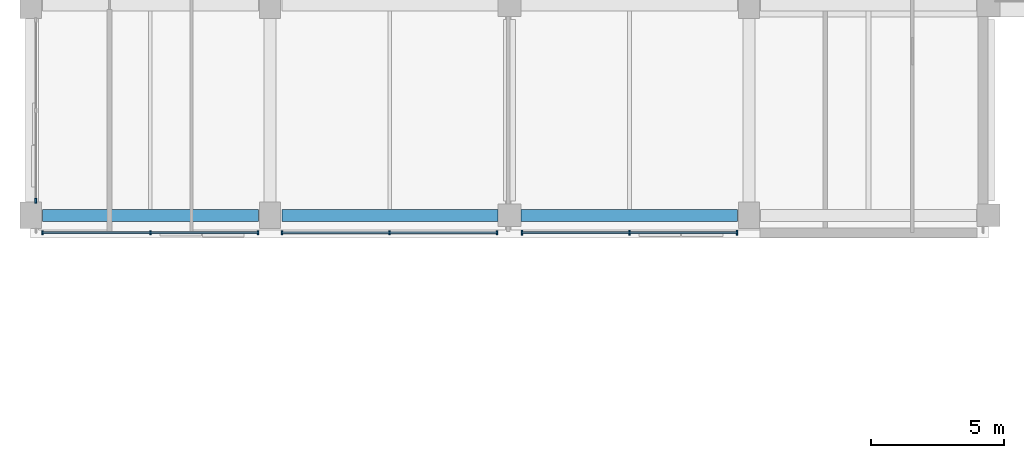
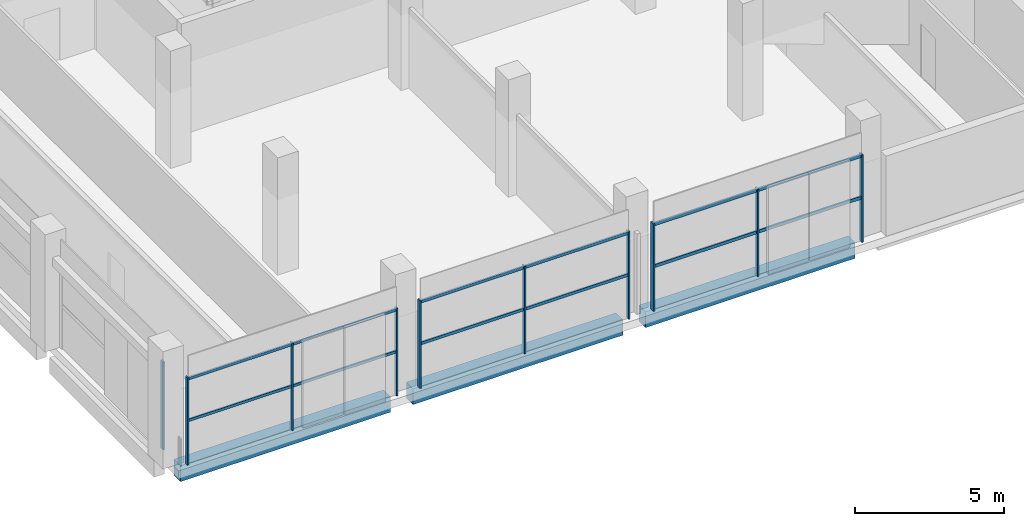
# One storey, part 19 of 66: 16 members, 3 beams, 4 elements without a shape of their own.
"""IFC4 building model written with IfcOpenShell, lengths in metres."""

from ifc_helpers import new_model, si_unit, direction, frame, origin, origin_2d, place, context, subcontext, project, spatial, rectangle, extrude, material, material_profile, profile_set, type_object, element, aggregate, save


model = new_model("IFC4")

# Units and contexts
model_context = context("Model", 3, precision=1e-05, world=origin(), true_north=direction((0.0, 1.0)))
body_context = subcontext(model_context, "Body", "Model", "MODEL_VIEW")
ifc_project = project(units=[si_unit("LENGTHUNIT", "METRE"), si_unit("AREAUNIT", "SQUARE_METRE"), si_unit("VOLUMEUNIT", "CUBIC_METRE"), si_unit("PLANEANGLEUNIT", "RADIAN"), si_unit("MASSUNIT", "GRAM", prefix="KILO"), si_unit("THERMODYNAMICTEMPERATUREUNIT", "KELVIN"), si_unit("POWERUNIT", "WATT")], contexts=[model_context])

# Site, building, storey
site_placement = place(None, origin())
site = spatial("IfcSite", under=ifc_project, at=site_placement, CompositionType="ELEMENT")
building_placement = place(site_placement, origin())
building = spatial("IfcBuilding", under=site, at=building_placement, Name="Sindhuravela Promenade Stadium", CompositionType="ELEMENT")
storey_placement = place(building_placement, frame((0.0, 0.0, 19.199951171875)))
storey = spatial("IfcBuildingStorey", under=building, at=storey_placement, Name="L04", CompositionType="ELEMENT", Elevation=19.199951171875)

# Curtain wall, member
ifc_material_1 = material(Name="Anodised architectural aluminium 6063-T6", Category="aluminium")
curtain_wall_type_1 = type_object("IfcCurtainWallType", Name="CW-MOD-1", PredefinedType="NOTDEFINED", material=ifc_material_1)
curtain_wall_1_placement = place(storey_placement, origin())
curtain_wall_1 = element("IfcCurtainWall", 1, at=curtain_wall_1_placement, inside=storey, type_object=curtain_wall_type_1, Name="Bronze curtain wall CW-WEST-L04-048", PredefinedType="NOTDEFINED")
ifc_material_profile_1 = material_profile(ifc_material_1, rectangle(XDim=0.074951171875, YDim=0.175048828125, at=origin_2d()), Name="ALU MULL 75x175")
ifc_profile_set_1 = profile_set([ifc_material_profile_1], Name="Anodised architectural aluminium 6063-T6")
member_type_1 = type_object("IfcMemberType", Name="CW-MUL-1", PredefinedType="MULLION", material=ifc_profile_set_1)
member_1_placement = place(storey_placement, frame((0.199951171875, 37.64990234375, 0.0), z_axis=(0.0, 0.0, 1.0), x_axis=(1.0, 0.0, 0.0)))
member_1 = element("IfcMember", 2, at=member_1_placement, type_object=member_type_1, Name="Curtain wall mullion CW-WEST-L04-048-M1", PredefinedType="MULLION", context=body_context, shape_type="SweptSolid", body=[
    extrude(rectangle(XDim=0.074951171875, YDim=0.175048828125, at=origin_2d()), origin(), (0.0, 0.0, 1.0), 3.580078125),
])
aggregate(curtain_wall_1, [member_1])

# Curtain wall, members
curtain_wall_type_2 = type_object("IfcCurtainWallType", Name="CW-MOD-7", PredefinedType="NOTDEFINED", material=ifc_material_1)
curtain_wall_2_placement = place(storey_placement, origin())
curtain_wall_2 = element("IfcCurtainWall", 3, at=curtain_wall_2_placement, inside=storey, type_object=curtain_wall_type_2, Name="Bronze curtain wall CW-WEST-L04-062", PredefinedType="NOTDEFINED")
ifc_material_profile_2 = material_profile(ifc_material_1, rectangle(XDim=0.06005859375, YDim=0.179931640625, at=origin_2d()), Name="ALU M60x180")
ifc_profile_set_2 = profile_set([ifc_material_profile_2], Name="Anodised architectural aluminium 6063-T6")
member_type_2 = type_object("IfcMemberType", Name="CW-MUL-3", PredefinedType="MULLION", material=ifc_profile_set_2)
member_2_placement = place(storey_placement, frame((26.550048828125, 36.449951171875, 0.0), z_axis=(0.0, 0.0, 1.0), x_axis=(1.0, 0.0, 0.0)))
member_2 = element("IfcMember", 4, at=member_2_placement, type_object=member_type_2, Name="Curtain wall mullion CW-WEST-L04-062-M1", PredefinedType="MULLION", context=body_context, shape_type="SweptSolid", body=[
    extrude(rectangle(XDim=0.06005859375, YDim=0.179931640625, at=origin_2d()), origin(), (0.0, 0.0, 1.0), 3.580078125),
])
member_3_placement = place(storey_placement, frame((22.512451171875, 36.449951171875, 0.0), z_axis=(0.0, 0.0, 1.0), x_axis=(1.0, 0.0, 0.0)))
member_3 = element("IfcMember", 5, at=member_3_placement, type_object=member_type_2, Name="Curtain wall mullion CW-WEST-L04-062-M2", PredefinedType="MULLION", context=body_context, shape_type="SweptSolid", body=[
    extrude(rectangle(XDim=0.06005859375, YDim=0.179931640625, at=origin_2d()), origin(), (0.0, 0.0, 1.0), 3.580078125),
])
member_4_placement = place(storey_placement, frame((18.47509765625, 36.449951171875, 0.0), z_axis=(0.0, 0.0, 1.0), x_axis=(1.0, 0.0, 0.0)))
member_4 = element("IfcMember", 6, at=member_4_placement, type_object=member_type_2, Name="Curtain wall mullion CW-WEST-L04-062-M3", PredefinedType="MULLION", context=body_context, shape_type="SweptSolid", body=[
    extrude(rectangle(XDim=0.06005859375, YDim=0.179931640625, at=origin_2d()), origin(), (0.0, 0.0, 1.0), 3.580078125),
])

curtain_wall_type_3 = type_object("IfcCurtainWallType", Name="CW-MOD-8", PredefinedType="NOTDEFINED", material=ifc_material_1)
curtain_wall_3_placement = place(storey_placement, origin())
curtain_wall_3 = element("IfcCurtainWall", 7, at=curtain_wall_3_placement, inside=storey, type_object=curtain_wall_type_3, Name="Bronze curtain wall CW-WEST-L04-063", PredefinedType="NOTDEFINED")
ifc_material_profile_3 = material_profile(ifc_material_1, rectangle(XDim=0.06005859375, YDim=0.159912109375, at=origin_2d()), Name="ALU M60x160")
ifc_profile_set_3 = profile_set([ifc_material_profile_3], Name="Anodised architectural aluminium 6063-T6")
member_type_3 = type_object("IfcMemberType", Name="CW-MUL-4", PredefinedType="MULLION", material=ifc_profile_set_3)
member_5_placement = place(storey_placement, frame((17.52490234375, 36.449951171875, 0.0), z_axis=(0.0, 0.0, 1.0), x_axis=(1.0, 0.0, 0.0)))
member_5 = element("IfcMember", 8, at=member_5_placement, type_object=member_type_3, Name="Curtain wall mullion CW-WEST-L04-063-M1", PredefinedType="MULLION", context=body_context, shape_type="SweptSolid", body=[
    extrude(rectangle(XDim=0.06005859375, YDim=0.159912109375, at=origin_2d()), origin(), (0.0, 0.0, 1.0), 3.580078125),
])
member_6_placement = place(storey_placement, frame((13.487548828125, 36.449951171875, 0.0), z_axis=(0.0, 0.0, 1.0), x_axis=(1.0, 0.0, 0.0)))
member_6 = element("IfcMember", 9, at=member_6_placement, type_object=member_type_3, Name="Curtain wall mullion CW-WEST-L04-063-M2", PredefinedType="MULLION", context=body_context, shape_type="SweptSolid", body=[
    extrude(rectangle(XDim=0.06005859375, YDim=0.159912109375, at=origin_2d()), origin(), (0.0, 0.0, 1.0), 3.580078125),
])
member_7_placement = place(storey_placement, frame((9.449951171875, 36.449951171875, 0.0), z_axis=(0.0, 0.0, 1.0), x_axis=(1.0, 0.0, 0.0)))
member_7 = element("IfcMember", 10, at=member_7_placement, type_object=member_type_3, Name="Curtain wall mullion CW-WEST-L04-063-M3", PredefinedType="MULLION", context=body_context, shape_type="SweptSolid", body=[
    extrude(rectangle(XDim=0.06005859375, YDim=0.159912109375, at=origin_2d()), origin(), (0.0, 0.0, 1.0), 3.580078125),
])

curtain_wall_4_placement = place(storey_placement, origin())
curtain_wall_4 = element("IfcCurtainWall", 11, at=curtain_wall_4_placement, inside=storey, type_object=curtain_wall_type_1, Name="Bronze curtain wall CW-WEST-L04-064", PredefinedType="NOTDEFINED")
ifc_material_profile_4 = material_profile(ifc_material_1, rectangle(XDim=0.06005859375, YDim=0.139892578125, at=origin_2d()), Name="ALU M60x140")
ifc_profile_set_4 = profile_set([ifc_material_profile_4], Name="Anodised architectural aluminium 6063-T6")
member_type_4 = type_object("IfcMemberType", Name="CW-MUL-5", PredefinedType="MULLION", material=ifc_profile_set_4)
member_8_placement = place(storey_placement, frame((8.550048828125, 36.449951171875, 0.0), z_axis=(0.0, 0.0, 1.0), x_axis=(1.0, 0.0, 0.0)))
member_8 = element("IfcMember", 12, at=member_8_placement, type_object=member_type_4, Name="Curtain wall mullion CW-WEST-L04-064-M1", PredefinedType="MULLION", context=body_context, shape_type="SweptSolid", body=[
    extrude(rectangle(XDim=0.06005859375, YDim=0.139892578125, at=origin_2d()), origin(), (0.0, 0.0, 1.0), 3.580078125),
])
member_9_placement = place(storey_placement, frame((4.5, 36.449951171875, 0.0), z_axis=(0.0, 0.0, 1.0), x_axis=(1.0, 0.0, 0.0)))
member_9 = element("IfcMember", 13, at=member_9_placement, type_object=member_type_4, Name="Curtain wall mullion CW-WEST-L04-064-M2", PredefinedType="MULLION", context=body_context, shape_type="SweptSolid", body=[
    extrude(rectangle(XDim=0.06005859375, YDim=0.139892578125, at=origin_2d()), origin(), (0.0, 0.0, 1.0), 3.580078125),
])
member_10_placement = place(storey_placement, frame((0.449951171875, 36.449951171875, 0.0), z_axis=(0.0, 0.0, 1.0), x_axis=(1.0, 0.0, 0.0)))
member_10 = element("IfcMember", 14, at=member_10_placement, type_object=member_type_4, Name="Curtain wall mullion CW-WEST-L04-064-M3", PredefinedType="MULLION", context=body_context, shape_type="SweptSolid", body=[
    extrude(rectangle(XDim=0.06005859375, YDim=0.139892578125, at=origin_2d()), origin(), (0.0, 0.0, 1.0), 3.580078125),
])

# Member
ifc_material_profile_5 = material_profile(ifc_material_1, rectangle(XDim=0.06005859375, YDim=0.1298828125, at=origin_2d()), Name="ALU T60x130")
ifc_profile_set_5 = profile_set([ifc_material_profile_5], Name="Anodised architectural aluminium 6063-T6")
member_type_5 = type_object("IfcMemberType", Name="CW-TRN-3", PredefinedType="USERDEFINED", material=ifc_profile_set_5)
member_11_placement = place(storey_placement, frame((26.574951171875, 36.449951171875, 1.7900390625), z_axis=(-1.0, 0.0, 0.0), x_axis=(0.0, -1.0, 0.0)))
member_11 = element("IfcMember", 15, at=member_11_placement, type_object=member_type_5, Name="Curtain wall transom CW-WEST-L04-062-T1", ObjectType="TRANSOM", PredefinedType="USERDEFINED", context=body_context, shape_type="SweptSolid", body=[
    extrude(rectangle(XDim=0.06005859375, YDim=0.1298828125, at=origin_2d()), origin(), (0.0, 0.0, 1.0), 8.125),
])

member_12_placement = place(storey_placement, frame((26.574951171875, 36.449951171875, 3.5), z_axis=(-1.0, 0.0, 0.0), x_axis=(0.0, -1.0, 0.0)))
member_12 = element("IfcMember", 16, at=member_12_placement, type_object=member_type_5, Name="Curtain wall transom CW-WEST-L04-062-T2", ObjectType="TRANSOM", PredefinedType="USERDEFINED", context=body_context, shape_type="SweptSolid", body=[
    extrude(rectangle(XDim=0.06005859375, YDim=0.1298828125, at=origin_2d()), origin(), (0.0, 0.0, 1.0), 8.125),
])

aggregate(curtain_wall_2, [member_2, member_3, member_4, member_11, member_12])

ifc_material_profile_6 = material_profile(ifc_material_1, rectangle(XDim=0.06005859375, YDim=0.1201171875, at=origin_2d()), Name="ALU T60x120")
ifc_profile_set_6 = profile_set([ifc_material_profile_6], Name="Anodised architectural aluminium 6063-T6")
member_type_6 = type_object("IfcMemberType", Name="CW-TRN-4", PredefinedType="USERDEFINED", material=ifc_profile_set_6)
member_13_placement = place(storey_placement, frame((17.550048828125, 36.449951171875, 1.7900390625), z_axis=(-1.0, 0.0, 0.0), x_axis=(0.0, -1.0, 0.0)))
member_13 = element("IfcMember", 17, at=member_13_placement, type_object=member_type_6, Name="Curtain wall transom CW-WEST-L04-063-T1", ObjectType="TRANSOM", PredefinedType="USERDEFINED", context=body_context, shape_type="SweptSolid", body=[
    extrude(rectangle(XDim=0.06005859375, YDim=0.1201171875, at=origin_2d()), origin(), (0.0, 0.0, 1.0), 8.125),
])

member_14_placement = place(storey_placement, frame((17.550048828125, 36.449951171875, 3.5), z_axis=(-1.0, 0.0, 0.0), x_axis=(0.0, -1.0, 0.0)))
member_14 = element("IfcMember", 18, at=member_14_placement, type_object=member_type_6, Name="Curtain wall transom CW-WEST-L04-063-T2", ObjectType="TRANSOM", PredefinedType="USERDEFINED", context=body_context, shape_type="SweptSolid", body=[
    extrude(rectangle(XDim=0.06005859375, YDim=0.1201171875, at=origin_2d()), origin(), (0.0, 0.0, 1.0), 8.125),
])

aggregate(curtain_wall_3, [member_5, member_6, member_7, member_13, member_14])

ifc_material_profile_7 = material_profile(ifc_material_1, rectangle(XDim=0.06005859375, YDim=0.110107421875, at=origin_2d()), Name="ALU T60x110")
ifc_profile_set_7 = profile_set([ifc_material_profile_7], Name="Anodised architectural aluminium 6063-T6")
member_type_7 = type_object("IfcMemberType", Name="CW-TRN-5", PredefinedType="USERDEFINED", material=ifc_profile_set_7)
member_15_placement = place(storey_placement, frame((8.574951171875, 36.449951171875, 1.7900390625), z_axis=(-1.0, 0.0, 0.0), x_axis=(0.0, -1.0, 0.0)))
member_15 = element("IfcMember", 19, at=member_15_placement, type_object=member_type_7, Name="Curtain wall transom CW-WEST-L04-064-T1", ObjectType="TRANSOM", PredefinedType="USERDEFINED", context=body_context, shape_type="SweptSolid", body=[
    extrude(rectangle(XDim=0.06005859375, YDim=0.110107421875, at=origin_2d()), origin(), (0.0, 0.0, 1.0), 8.14990234375),
])

member_16_placement = place(storey_placement, frame((8.574951171875, 36.449951171875, 3.5), z_axis=(-1.0, 0.0, 0.0), x_axis=(0.0, -1.0, 0.0)))
member_16 = element("IfcMember", 20, at=member_16_placement, type_object=member_type_7, Name="Curtain wall transom CW-WEST-L04-064-T2", ObjectType="TRANSOM", PredefinedType="USERDEFINED", context=body_context, shape_type="SweptSolid", body=[
    extrude(rectangle(XDim=0.06005859375, YDim=0.110107421875, at=origin_2d()), origin(), (0.0, 0.0, 1.0), 8.14990234375),
])

aggregate(curtain_wall_4, [member_8, member_9, member_10, member_15, member_16])

# Beams
ifc_material_2 = material(Name="Concrete M40", Category="concrete")
ifc_material_profile_8 = material_profile(ifc_material_2, rectangle(XDim=0.449951171875, YDim=0.64990234375, at=origin_2d()), Name="RC 450x650")
ifc_profile_set_8 = profile_set([ifc_material_profile_8], Name="Concrete M40")
beam_type = type_object("IfcBeamType", Name="RC-BM-450x650", PredefinedType="T_BEAM", material=ifc_profile_set_8)
for number, where, z_axis, x_axis, name in (
    (21, (0.43994140625, 37.10009765625, -0.64501953125), (1.0, 0.0, 0.0), (0.0, 1.0, 0.0), "Primary girder GB08 WEST L04"),
    (22, (9.43994140625, 37.10009765625, -0.64501953125), (1.0, 0.0, 0.0), (0.0, 1.0, 0.0), "Primary girder GB08 WEST L04"),
    (23, (18.43994140625, 37.10009765625, -0.64501953125), (1.0, 0.0, 0.0), (0.0, 1.0, 0.0), "Primary girder GB08 WEST L04"),
):
    element("IfcBeam", number, at=place(storey_placement, frame(where, z_axis=z_axis, x_axis=x_axis)), inside=storey, type_object=beam_type, Name=name, PredefinedType="T_BEAM", context=body_context, shape_type="SweptSolid", body=[
        extrude(rectangle(XDim=0.449951171875, YDim=0.64990234375, at=origin_2d()), origin(), (0.0, 0.0, 1.0), 8.1201171875),
    ])

save(model, "model.ifc")
